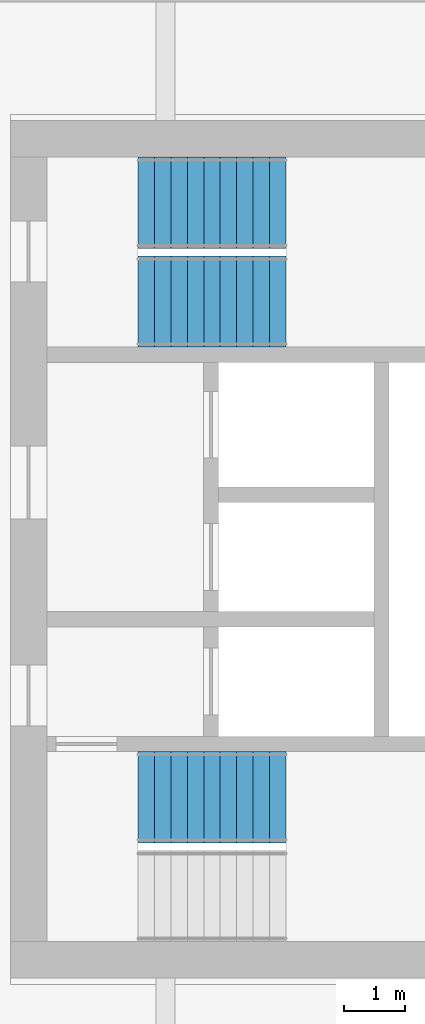
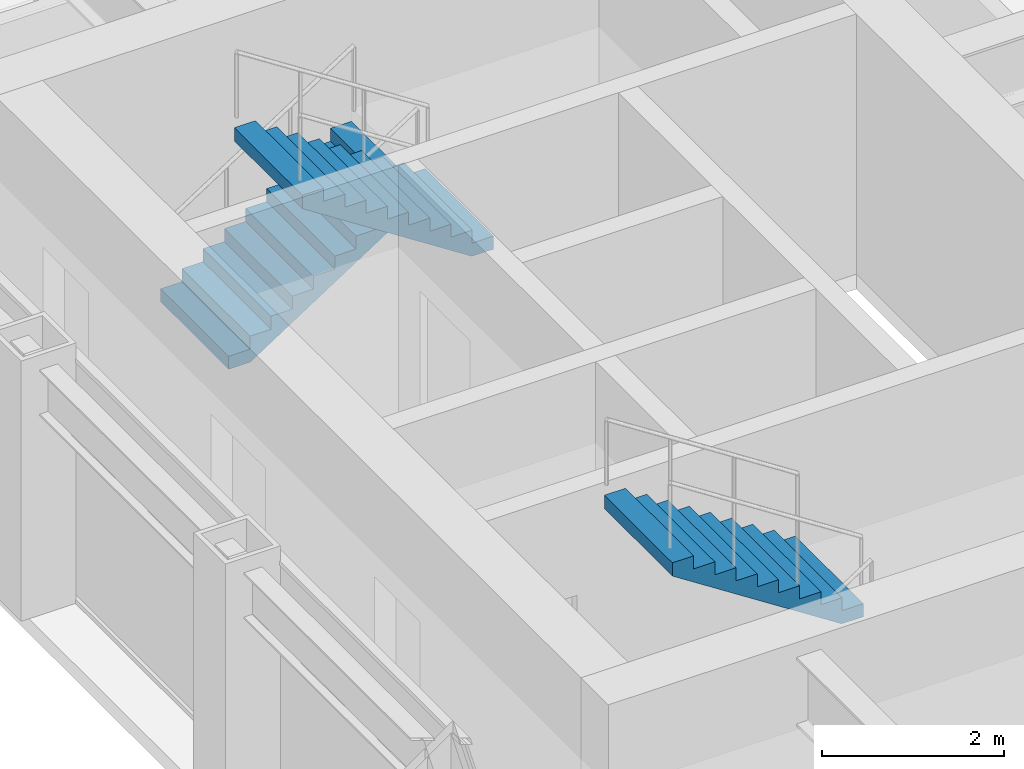
# One storey, part 16 of 21: 3 stair flights, 2 elements without a shape of their own.
"""IFC4 building model written with IfcOpenShell, lengths in metres."""

from ifc_helpers import new_model, si_unit, direction, frame, origin, place, context, subcontext, project, spatial, polyline, outline, extrude, material, type_object, element, aggregate, save


model = new_model("IFC4")

# Units and contexts
model_context = context("Model", 3, precision=1e-05, world=origin(), true_north=direction((0.0, 1.0)))
body_context = subcontext(model_context, "Body", "Model", "MODEL_VIEW")
ifc_project = project(units=[si_unit("LENGTHUNIT", "METRE"), si_unit("AREAUNIT", "SQUARE_METRE"), si_unit("VOLUMEUNIT", "CUBIC_METRE"), si_unit("PLANEANGLEUNIT", "RADIAN"), si_unit("MASSUNIT", "GRAM", prefix="KILO")], contexts=[model_context])

# Site, building, storey
site_placement = place(None, origin())
site = spatial("IfcSite", under=ifc_project, at=site_placement, CompositionType="ELEMENT")
building_placement = place(site_placement, origin())
building = spatial("IfcBuilding", under=site, at=building_placement, Name="Msasa Ring Tower", CompositionType="ELEMENT")
storey_placement = place(building_placement, frame((0.0, 0.0, 51.0)))
storey = spatial("IfcBuildingStorey", under=building, at=storey_placement, Name="L12", CompositionType="ELEMENT", Elevation=51.0)

# Stair, stair flight
ifc_material_1 = material(Name="Concrete C40/50", Category="concrete")
stair_type = type_object("IfcStairType", Name="STC CORE STAIR 20 RISERS 175", PredefinedType="HALF_TURN_STAIR", material=ifc_material_1)
stair_1_placement = place(storey_placement, origin())
stair_1 = element("IfcStair", 1, at=stair_1_placement, inside=storey, type_object=stair_type, Name="Core stair SEA L12", PredefinedType="HALF_TURN_STAIR")
ifc_material_2 = material(Name="Concrete C40/50", Category="concrete")
stair_flight_type = type_object("IfcStairFlightType", Name="ST12 CORE STAIR FLIGHT 1500 10 RISERS 175", PredefinedType="STRAIGHT", material=ifc_material_2)
stair_flight_1_placement = place(storey_placement, frame((13.22998046875, -4.074951171875, 1.75), z_axis=(0.0, 0.0, 1.0), x_axis=(-1.0, 0.0, 0.0)))
stair_flight_1 = element("IfcStairFlight", 2, at=stair_flight_1_placement, type_object=stair_flight_type, Name="SEA flight 2", NumberOfRisers=10, NumberOfTreads=9, PredefinedType="STRAIGHT", RiserHeight=0.175, TreadLength=0.27, context=body_context, shape_type="SweptSolid", body=[
    extrude(outline(polyline([(0.0, 0.0), (0.0, 0.175048828125), (0.27001953125, 0.175048828125), (0.27001953125, 0.35009765625), (0.5400390625, 0.35009765625), (0.5400390625, 0.52490234375), (0.81005859375, 0.52490234375), (0.81005859375, 0.699951171875), (1.080078125, 0.699951171875), (1.080078125, 0.875), (1.35009765625, 0.875), (1.35009765625, 1.050048828125), (1.6201171875, 1.050048828125), (1.6201171875, 1.22509765625), (1.889892578125, 1.22509765625), (1.889892578125, 1.39990234375), (2.159912109375, 1.39990234375), (2.159912109375, 1.574951171875), (2.429931640625, 1.574951171875), (2.429931640625, 1.75), (2.429931640625, 1.396484375), (0.275634765625, 0.0), (0.0, 0.0)])), frame((0.0, 0.75, 0.0), z_axis=(0.0, -1.0, 0.0), x_axis=(1.0, 0.0, 0.0)), (0.0, 0.0, 1.0), 1.5),
])
aggregate(stair_1, [stair_flight_1])

# Stair, stair flights
stair_2_placement = place(storey_placement, origin())
stair_2 = element("IfcStair", 3, at=stair_2_placement, inside=storey, type_object=stair_type, Name="Core stair SEB L12", PredefinedType="HALF_TURN_STAIR")
stair_flight_2_placement = place(storey_placement, frame((10.800048828125, 5.699951171875, 0.0), z_axis=(0.0, 0.0, 1.0), x_axis=(1.0, 0.0, 0.0)))
stair_flight_2 = element("IfcStairFlight", 4, at=stair_flight_2_placement, type_object=stair_flight_type, Name="SEB flight 1", NumberOfRisers=10, NumberOfTreads=9, PredefinedType="STRAIGHT", RiserHeight=0.175, TreadLength=0.27, context=body_context, shape_type="SweptSolid", body=[
    extrude(outline(polyline([(0.0, 0.0), (0.0, 0.175048828125), (0.27001953125, 0.175048828125), (0.27001953125, 0.35009765625), (0.5400390625, 0.35009765625), (0.5400390625, 0.52490234375), (0.81005859375, 0.52490234375), (0.81005859375, 0.699951171875), (1.080078125, 0.699951171875), (1.080078125, 0.875), (1.35009765625, 0.875), (1.35009765625, 1.050048828125), (1.6201171875, 1.050048828125), (1.6201171875, 1.22509765625), (1.889892578125, 1.22509765625), (1.889892578125, 1.39990234375), (2.159912109375, 1.39990234375), (2.159912109375, 1.574951171875), (2.429931640625, 1.574951171875), (2.429931640625, 1.75), (2.429931640625, 1.396484375), (0.275634765625, 0.0), (0.0, 0.0)])), frame((0.0, 0.75, 0.0), z_axis=(0.0, -1.0, 0.0), x_axis=(1.0, 0.0, 0.0)), (0.0, 0.0, 1.0), 1.5),
])
stair_flight_3_placement = place(storey_placement, frame((13.22998046875, 4.074951171875, 1.75), z_axis=(0.0, 0.0, 1.0), x_axis=(-1.0, 0.0, 0.0)))
stair_flight_3 = element("IfcStairFlight", 5, at=stair_flight_3_placement, type_object=stair_flight_type, Name="SEB flight 2", NumberOfRisers=10, NumberOfTreads=9, PredefinedType="STRAIGHT", RiserHeight=0.175, TreadLength=0.27, context=body_context, shape_type="SweptSolid", body=[
    extrude(outline(polyline([(0.0, 0.0), (0.0, 0.175048828125), (0.27001953125, 0.175048828125), (0.27001953125, 0.35009765625), (0.5400390625, 0.35009765625), (0.5400390625, 0.52490234375), (0.81005859375, 0.52490234375), (0.81005859375, 0.699951171875), (1.080078125, 0.699951171875), (1.080078125, 0.875), (1.35009765625, 0.875), (1.35009765625, 1.050048828125), (1.6201171875, 1.050048828125), (1.6201171875, 1.22509765625), (1.889892578125, 1.22509765625), (1.889892578125, 1.39990234375), (2.159912109375, 1.39990234375), (2.159912109375, 1.574951171875), (2.429931640625, 1.574951171875), (2.429931640625, 1.75), (2.429931640625, 1.396484375), (0.275634765625, 0.0), (0.0, 0.0)])), frame((0.0, 0.75, 0.0), z_axis=(0.0, -1.0, 0.0), x_axis=(1.0, 0.0, 0.0)), (0.0, 0.0, 1.0), 1.5),
])
aggregate(stair_2, [stair_flight_2, stair_flight_3])

save(model, "model.ifc")
